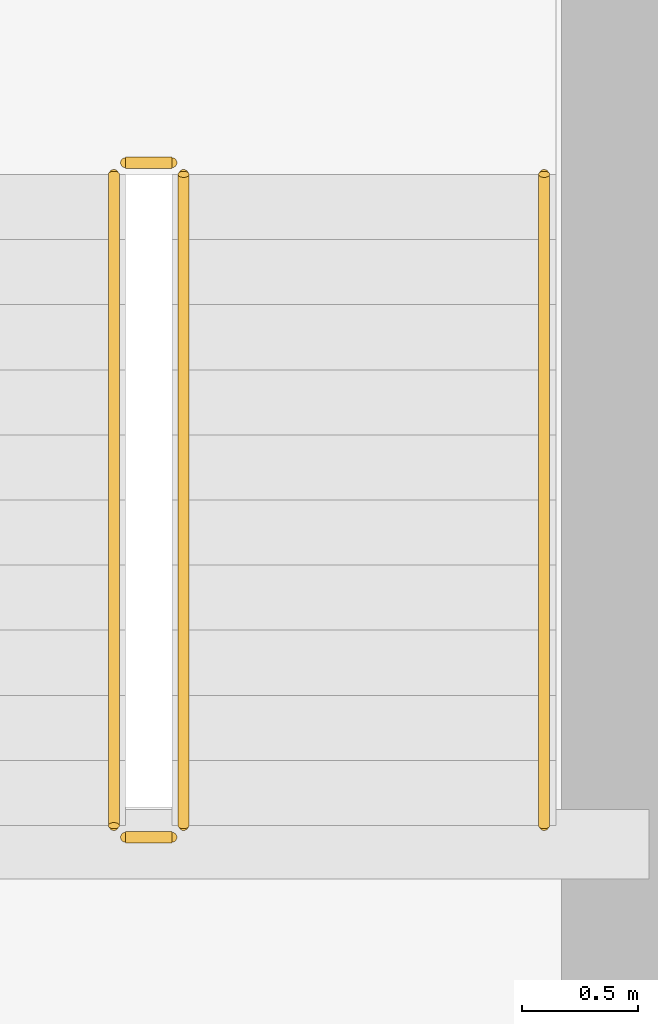
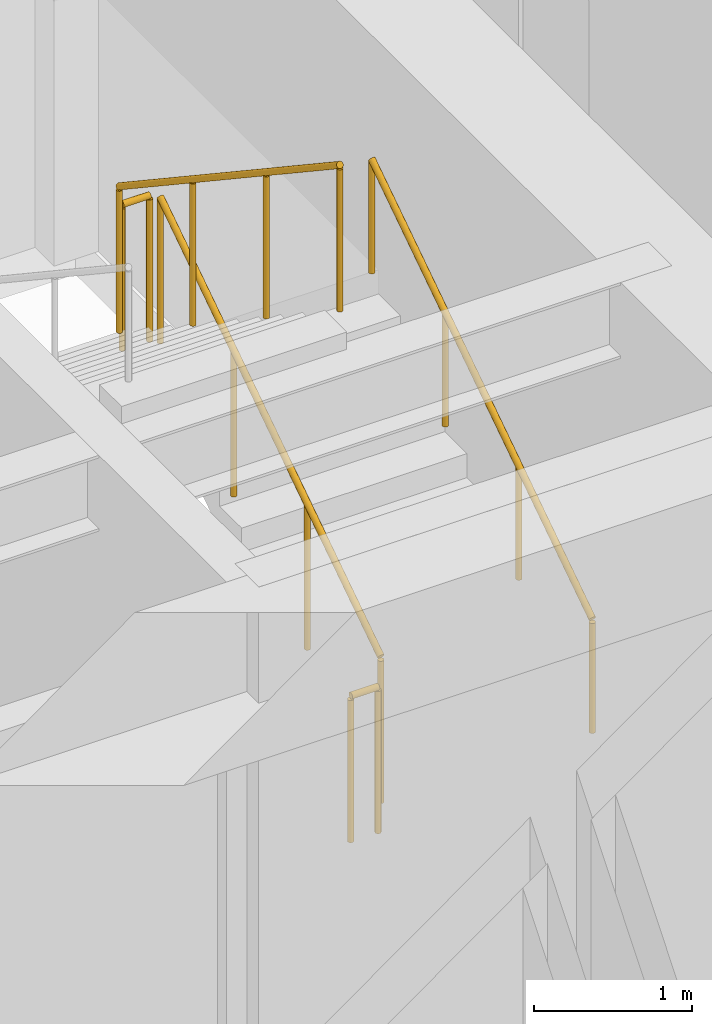
# One storey, part 31 of 31: 5 railings.
"""IFC4 building model written with IfcOpenShell, lengths in metres."""

from ifc_helpers import new_model, si_unit, direction, frame, origin, origin_2d, place, context, subcontext, project, spatial, circle, extrude, source, transform, mapped, material, type_object, type_shapes, element, save


model = new_model("IFC4")

# Units and contexts
model_context = context("Model", 3, precision=1e-05, world=origin(), true_north=direction((0.0, 1.0)))
body_context = subcontext(model_context, "Body", "Model", "MODEL_VIEW")
ifc_project = project(units=[si_unit("LENGTHUNIT", "METRE"), si_unit("AREAUNIT", "SQUARE_METRE"), si_unit("VOLUMEUNIT", "CUBIC_METRE"), si_unit("PLANEANGLEUNIT", "RADIAN"), si_unit("MASSUNIT", "GRAM", prefix="KILO")], contexts=[model_context])

# Site, building, storey
site_placement = place(None, origin())
site = spatial("IfcSite", under=ifc_project, at=site_placement, CompositionType="ELEMENT")
building_placement = place(site_placement, origin())
building = spatial("IfcBuilding", under=site, at=building_placement, Name="Haelvirn Gate Laboratories", CompositionType="ELEMENT")
storey_placement = place(building_placement, frame((0.0, 0.0, 62.10009765625)))
storey = spatial("IfcBuildingStorey", under=building, at=storey_placement, Name="L15", CompositionType="ELEMENT", Elevation=62.10009765625)

# Railings
ifc_material_1 = material(Name="Galvanised steel SM355 & stainless top rail", Category="steel")
railing_type_1 = type_object("IfcRailingType", Name="RL-GUARD-1150", PredefinedType="GUARDRAIL", material=ifc_material_1)
shared_shape_1 = source(origin(), body_context, "Body", "SweptSolid", [
    extrude(circle(Radius=0.02392578125, at=origin_2d()), frame((0.0, 0.0, 1.1259765625), z_axis=(0.0, 0.832485552168, 0.554046753832), x_axis=(-1.0, 0.0, 0.0)), (0.0, 0.0, 1.0), 3.363525390625),
    extrude(circle(Radius=0.02099609375, at=origin_2d()), origin(), (0.0, 0.0, 1.0), 1.101806640625),
    extrude(circle(Radius=0.02099609375, at=origin_2d()), frame((0.0, 0.933349609375, 0.62109375)), (0.0, 0.0, 1.0), 1.101806640625),
    extrude(circle(Radius=0.02099609375, at=origin_2d()), frame((0.0, 1.86669921875, 1.242431640625)), (0.0, 0.0, 1.0), 1.101806640625),
    extrude(circle(Radius=0.02099609375, at=origin_2d()), frame((0.0, 2.800048828125, 1.863525390625)), (0.0, 0.0, 1.0), 1.101806640625),
])
railing_1_placement = place(storey_placement, frame((65.39990234375, 26.699951171875, 0.186279296875)))
element("IfcRailing", 1, at=railing_1_placement, inside=storey, type_object=railing_type_1, Name="L15 ST2 stair guard 1", PredefinedType="GUARDRAIL", context=body_context, shape_type="MappedRepresentation", body=[
    mapped(shared_shape_1, transform((0.0, 0.0, 0.0), scale=1.0)),
])
ifc_material_2 = material(Name="Brushed stainless steel 316L", Category="steel")
railing_type_2 = type_object("IfcRailingType", Name="RL-HAND-920", PredefinedType="HANDRAIL", material=ifc_material_2)
shared_shape_2 = source(origin(), body_context, "Body", "SweptSolid", [
    extrude(circle(Radius=0.02392578125, at=origin_2d()), frame((0.0, 0.0, 0.8759765625), z_axis=(0.0, 0.832485552168, 0.554046753832), x_axis=(-1.0, 0.0, 0.0)), (0.0, 0.0, 1.0), 3.363525390625),
    extrude(circle(Radius=0.02099609375, at=origin_2d()), origin(), (0.0, 0.0, 1.0), 0.851806640625),
    extrude(circle(Radius=0.02099609375, at=origin_2d()), frame((0.0, 0.933349609375, 0.62109375)), (0.0, 0.0, 1.0), 0.851806640625),
    extrude(circle(Radius=0.02099609375, at=origin_2d()), frame((0.0, 1.86669921875, 1.242431640625)), (0.0, 0.0, 1.0), 0.851806640625),
    extrude(circle(Radius=0.02099609375, at=origin_2d()), frame((0.0, 2.800048828125, 1.863525390625)), (0.0, 0.0, 1.0), 0.851806640625),
])
type_shapes(railing_type_2, [shared_shape_2])
railing_2_placement = place(storey_placement, frame((66.949951171875, 26.699951171875, 0.186279296875)))
element("IfcRailing", 2, at=railing_2_placement, inside=storey, type_object=railing_type_2, Name="L15 ST2 stair handrail 1", PredefinedType="HANDRAIL", context=body_context, shape_type="MappedRepresentation", body=[
    mapped(shared_shape_2, transform((0.0, 0.0, 0.0), scale=1.0)),
])
shared_shape_3 = source(origin(), body_context, "Body", "SweptSolid", [
    extrude(circle(Radius=0.02392578125, at=origin_2d()), frame((0.0, 0.0, 1.1259765625), z_axis=(0.0, -0.832485552168, 0.554046753832), x_axis=(1.0, 0.0, 0.0)), (0.0, 0.0, 1.0), 3.363525390625),
    extrude(circle(Radius=0.02099609375, at=origin_2d()), origin(), (0.0, 0.0, 1.0), 1.101806640625),
    extrude(circle(Radius=0.02099609375, at=origin_2d()), frame((0.0, -0.933349609375, 0.62109375)), (0.0, 0.0, 1.0), 1.101806640625),
    extrude(circle(Radius=0.02099609375, at=origin_2d()), frame((0.0, -1.86669921875, 1.242431640625)), (0.0, 0.0, 1.0), 1.101806640625),
    extrude(circle(Radius=0.02099609375, at=origin_2d()), frame((0.0, -2.800048828125, 1.863525390625)), (0.0, 0.0, 1.0), 1.101806640625),
])
railing_3_placement = place(storey_placement, frame((65.10009765625, 29.5, 2.236328125)))
element("IfcRailing", 3, at=railing_3_placement, inside=storey, type_object=railing_type_1, Name="L15 ST2 stair guard 3", PredefinedType="GUARDRAIL", context=body_context, shape_type="MappedRepresentation", body=[
    mapped(shared_shape_3, transform((0.0, 0.0, 0.0), scale=1.0)),
])
shared_shape_4 = source(origin(), body_context, "Body", "SweptSolid", [
    extrude(circle(Radius=0.02392578125, at=origin_2d()), frame((0.0, 0.0, 1.1259765625), z_axis=(-1.0, 0.0, 0.0), x_axis=(0.0, -1.0, 0.0)), (0.0, 0.0, 1.0), 0.2001953125),
    extrude(circle(Radius=0.02099609375, at=origin_2d()), origin(), (0.0, 0.0, 1.0), 1.101806640625),
    extrude(circle(Radius=0.02099609375, at=origin_2d()), frame((-0.2001953125, 0.0, 0.0)), (0.0, 0.0, 1.0), 1.101806640625),
])
type_shapes(railing_type_1, [shared_shape_1, shared_shape_3, shared_shape_4])
for number, where, name in (
    (4, (65.35009765625, 29.550048828125, 2.0498046875), "L15 ST2 stair guard 2"),
    (5, (65.35009765625, 26.64990234375, 0.0), "L15 ST2 stair guard 4"),
):
    element("IfcRailing", number, at=place(storey_placement, frame(where)), inside=storey, type_object=railing_type_1, Name=name, PredefinedType="GUARDRAIL", context=body_context, shape_type="MappedRepresentation", body=[
        mapped(shared_shape_4, transform((0.0, 0.0, 0.0), scale=1.0)),
    ])

save(model, "model.ifc")
